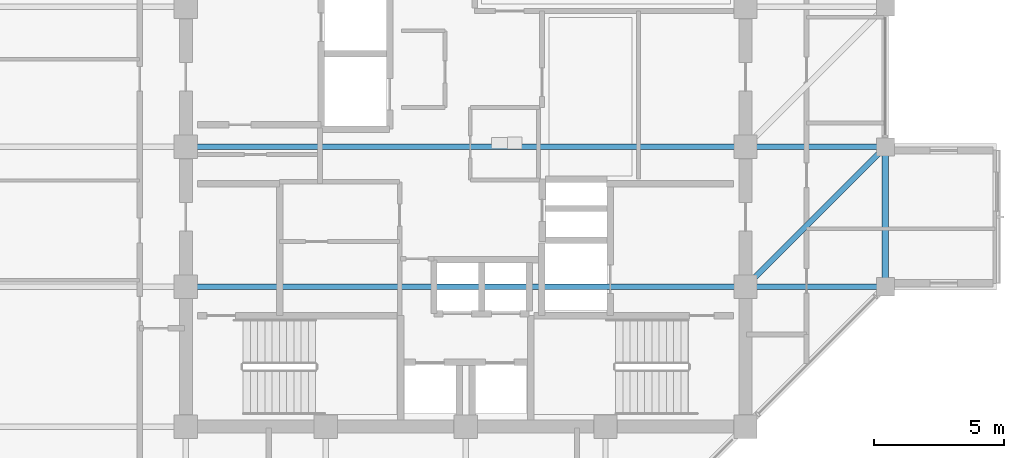
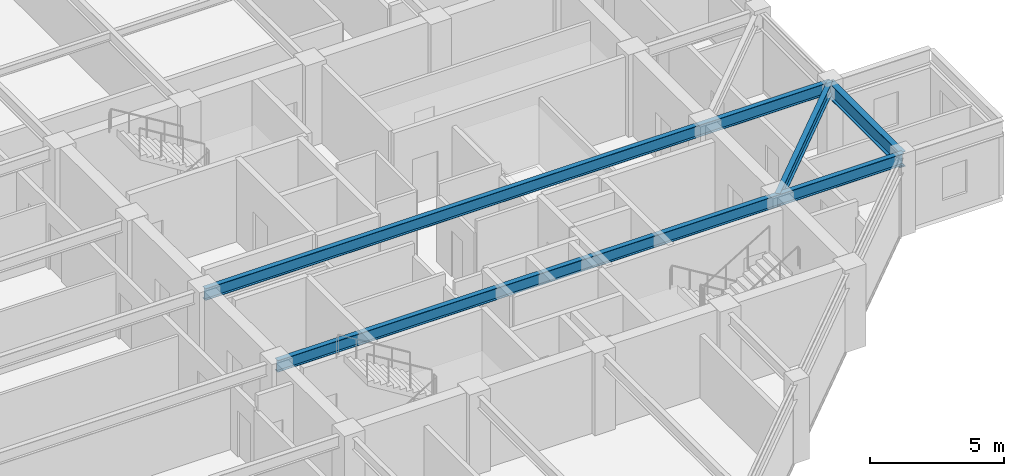
# One storey, part 10 of 31: 4 beams.
"""IFC4 building model written with IfcOpenShell, lengths in metres."""

from ifc_helpers import new_model, si_unit, direction, frame, origin, origin_2d, place, context, subcontext, project, spatial, i_section, extrude, material, material_profile, profile_set, type_object, element, save


model = new_model("IFC4")

# Units and contexts
model_context = context("Model", 3, precision=1e-05, world=origin(), true_north=direction((0.0, 1.0)))
body_context = subcontext(model_context, "Body", "Model", "MODEL_VIEW")
ifc_project = project(units=[si_unit("LENGTHUNIT", "METRE"), si_unit("AREAUNIT", "SQUARE_METRE"), si_unit("VOLUMEUNIT", "CUBIC_METRE"), si_unit("PLANEANGLEUNIT", "RADIAN"), si_unit("MASSUNIT", "GRAM", prefix="KILO")], contexts=[model_context])

# Site, building, storey
site_placement = place(None, origin())
site = spatial("IfcSite", under=ifc_project, at=site_placement, CompositionType="ELEMENT")
building_placement = place(site_placement, origin())
building = spatial("IfcBuilding", under=site, at=building_placement, Name="Surkhivell Harbour Commons", CompositionType="ELEMENT")
storey_placement = place(building_placement, frame((0.0, 0.0, 322.5)))
storey = spatial("IfcBuildingStorey", under=building, at=storey_placement, Name="L84", CompositionType="ELEMENT", Elevation=322.5)

# Beams
ifc_material = material(Name="Steel S355", Category="steel")
ifc_material_profile_1 = material_profile(ifc_material, i_section(OverallWidth=0.2099609375, OverallDepth=0.537109375, WebThickness=0.0107421875, FlangeThickness=0.017333984375, at=origin_2d()), Name="UB533x210x101")
ifc_profile_set_1 = profile_set([ifc_material_profile_1], Name="Steel S355")
beam_type_1 = type_object("IfcBeamType", Name="BM-GRD-533B", PredefinedType="BEAM", material=ifc_profile_set_1)
for number, where, z_axis, x_axis, name in (
    (1, (-10.800048828125, -5.39990234375, 3.301513671875), (1.0, 0.0, 0.0), (0.0, 1.0, 0.0), "L84 Cantilever Back-Span Girder (-10.8,-5.4)"),
    (2, (-10.800048828125, 0.0, 3.301513671875), (1.0, 0.0, 0.0), (0.0, 1.0, 0.0), "L84 Cantilever Back-Span Girder (-10.8,0.0)"),
):
    element("IfcBeam", number, at=place(storey_placement, frame(where, z_axis=z_axis, x_axis=x_axis)), inside=storey, type_object=beam_type_1, Name=name, PredefinedType="BEAM", context=body_context, shape_type="SweptSolid", body=[
        extrude(i_section(OverallWidth=0.2099609375, OverallDepth=0.537109375, WebThickness=0.0107421875, FlangeThickness=0.017333984375, at=origin_2d()), origin(), (0.0, 0.0, 1.0), 27.0),
    ])
beam_1_placement = place(storey_placement, frame((10.800048828125, -5.39990234375, 3.301513671875), z_axis=(0.707106781187, 0.707106781187, 0.0), x_axis=(-0.707106781187, 0.707106781187, 0.0)))
element("IfcBeam", 3, at=beam_1_placement, inside=storey, type_object=beam_type_1, Name="L84 Floor Girder (10.8,-5.4)", PredefinedType="BEAM", context=body_context, shape_type="SweptSolid", body=[
    extrude(i_section(OverallWidth=0.2099609375, OverallDepth=0.537109375, WebThickness=0.0107421875, FlangeThickness=0.017333984375, at=origin_2d()), origin(), (0.0, 0.0, 1.0), 7.63671875),
])
ifc_material_profile_2 = material_profile(ifc_material, i_section(OverallWidth=0.256103515625, OverallDepth=0.693115234375, WebThickness=0.014404296875, FlangeThickness=0.023681640625, at=origin_2d()), Name="UB686x254x170")
ifc_profile_set_2 = profile_set([ifc_material_profile_2], Name="Steel S355")
beam_type_2 = type_object("IfcBeamType", Name="BM-SPN-686", PredefinedType="SPANDREL", material=ifc_profile_set_2)
beam_2_placement = place(storey_placement, frame((16.199951171875, -5.39990234375, 3.223388671875), z_axis=(0.0, 1.0, 0.0), x_axis=(-1.0, 0.0, 0.0)))
element("IfcBeam", 4, at=beam_2_placement, inside=storey, type_object=beam_type_2, Name="L84 Tube Spandrel (16.2,-5.4)", PredefinedType="SPANDREL", context=body_context, shape_type="SweptSolid", body=[
    extrude(i_section(OverallWidth=0.256103515625, OverallDepth=0.693115234375, WebThickness=0.014404296875, FlangeThickness=0.023681640625, at=origin_2d()), origin(), (0.0, 0.0, 1.0), 5.39990234375),
])

save(model, "model.ifc")
